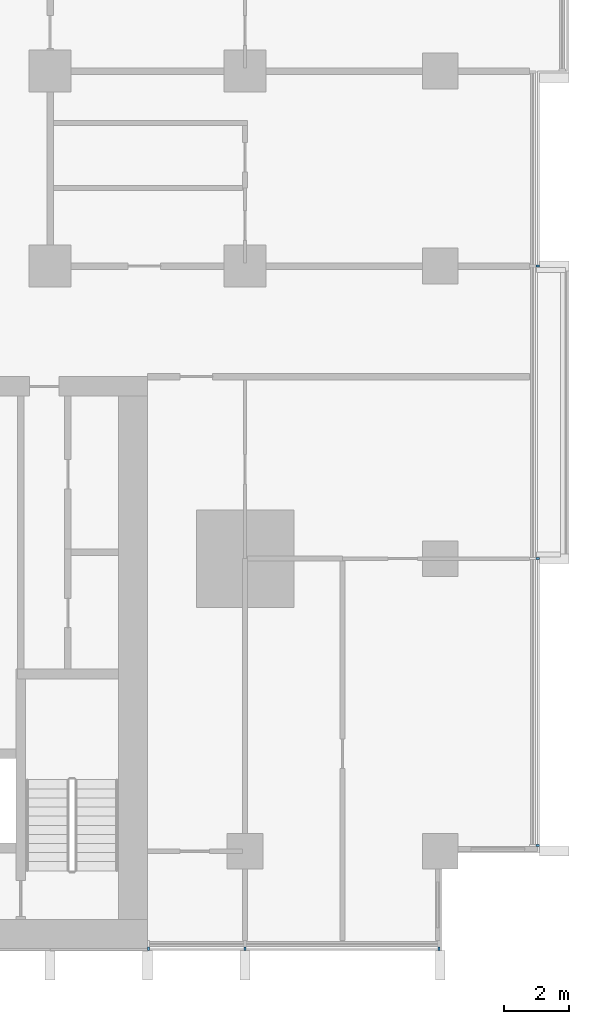
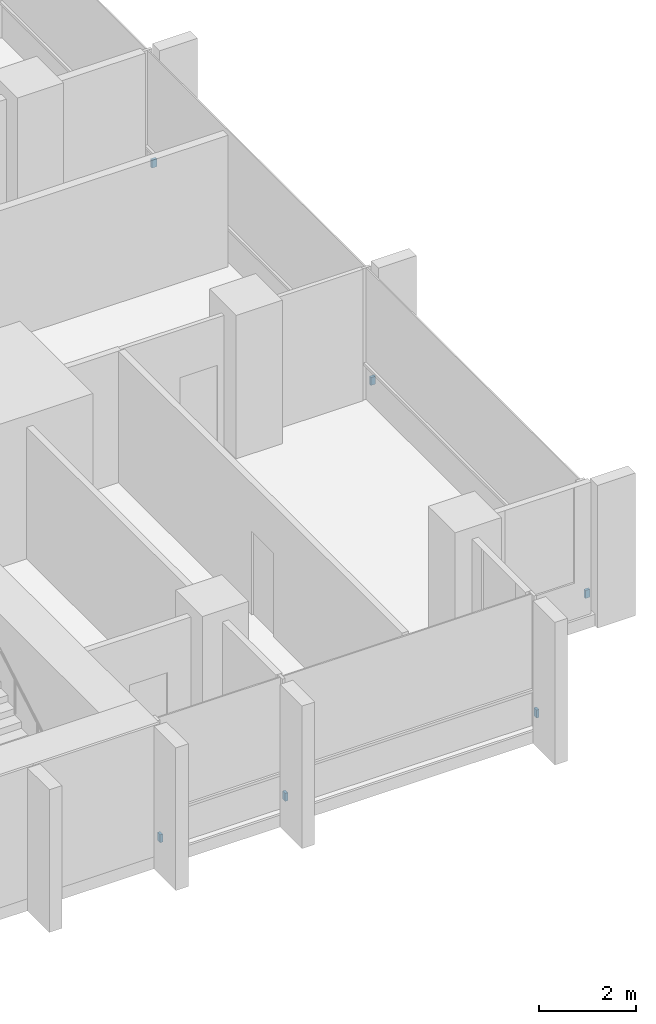
# One storey, part 15 of 18: 6 discrete accessories.
"""IFC4 building model written with IfcOpenShell, lengths in metres."""

from ifc_helpers import new_model, si_unit, direction, frame, origin, origin_2d, place, context, subcontext, project, spatial, rectangle, extrude, material, type_object, element, save


model = new_model("IFC4")

# Units and contexts
model_context = context("Model", 3, precision=1e-05, world=origin(), true_north=direction((0.0, 1.0)))
body_context = subcontext(model_context, "Body", "Model", "MODEL_VIEW")
ifc_project = project(units=[si_unit("LENGTHUNIT", "METRE"), si_unit("AREAUNIT", "SQUARE_METRE"), si_unit("VOLUMEUNIT", "CUBIC_METRE"), si_unit("PLANEANGLEUNIT", "RADIAN"), si_unit("MASSUNIT", "GRAM", prefix="KILO")], contexts=[model_context])

# Site, building, storey
site_placement = place(None, origin())
site = spatial("IfcSite", under=ifc_project, at=site_placement, CompositionType="ELEMENT")
building_placement = place(site_placement, origin())
building = spatial("IfcBuilding", under=site, at=building_placement, Name="Finial Court Residences", CompositionType="ELEMENT")
storey_placement = place(building_placement, frame((0.0, 0.0, 50.5)))
storey = spatial("IfcBuildingStorey", under=building, at=storey_placement, Name="L11", CompositionType="ELEMENT", Elevation=50.5)

# Discrete accessories
ifc_material = material(Name="Stainless steel 316", Category="steel")
discrete_accessory_type = type_object("IfcDiscreteAccessoryType", Name="Fin bracket, stainless steel 65 x 110 x 200", PredefinedType="BRACKET", material=ifc_material)
for number, where, z_axis, x_axis, name in (
    (1, (25.5048828125, -22.3173828125, 0.2998046875), (0.0, 0.0, 1.0), (1.0, 0.0, 0.0), "E-L11-FIN-E9-BRK"),
    (2, (25.5048828125, -13.5, 0.2998046875), (0.0, 0.0, 1.0), (1.0, 0.0, 0.0), "E-L11-FIN-E10-BRK"),
    (3, (25.5048828125, -4.5, 0.2998046875), (0.0, 0.0, 1.0), (1.0, 0.0, 0.0), "E-L11-FIN-E11-BRK"),
):
    element("IfcDiscreteAccessory", number, at=place(storey_placement, frame(where, z_axis=z_axis, x_axis=x_axis)), inside=storey, type_object=discrete_accessory_type, Name=name, PredefinedType="BRACKET", context=body_context, shape_type="SweptSolid", body=[
        extrude(rectangle(XDim=0.110107421875, YDim=0.06494140625, at=origin_2d()), origin(), (0.0, 0.0, 1.0), 0.199951171875),
    ])
for number, where, z_axis, x_axis, name in (
    (4, (13.532470703125, -25.5048828125, 0.2998046875), (0.0, 0.0, 1.0), (1.0, 0.0, 0.0), "E-L11-FIN-S24-BRK"),
    (5, (16.5, -25.5048828125, 0.2998046875), (0.0, 0.0, 1.0), (1.0, 0.0, 0.0), "E-L11-FIN-S25-BRK"),
    (6, (22.467529296875, -25.5048828125, 0.2998046875), (0.0, 0.0, 1.0), (1.0, 0.0, 0.0), "E-L11-FIN-S26-BRK"),
):
    element("IfcDiscreteAccessory", number, at=place(storey_placement, frame(where, z_axis=z_axis, x_axis=x_axis)), inside=storey, type_object=discrete_accessory_type, Name=name, PredefinedType="BRACKET", context=body_context, shape_type="SweptSolid", body=[
        extrude(rectangle(XDim=0.06494140625, YDim=0.110107421875, at=origin_2d()), origin(), (0.0, 0.0, 1.0), 0.199951171875),
    ])

save(model, "model.ifc")
